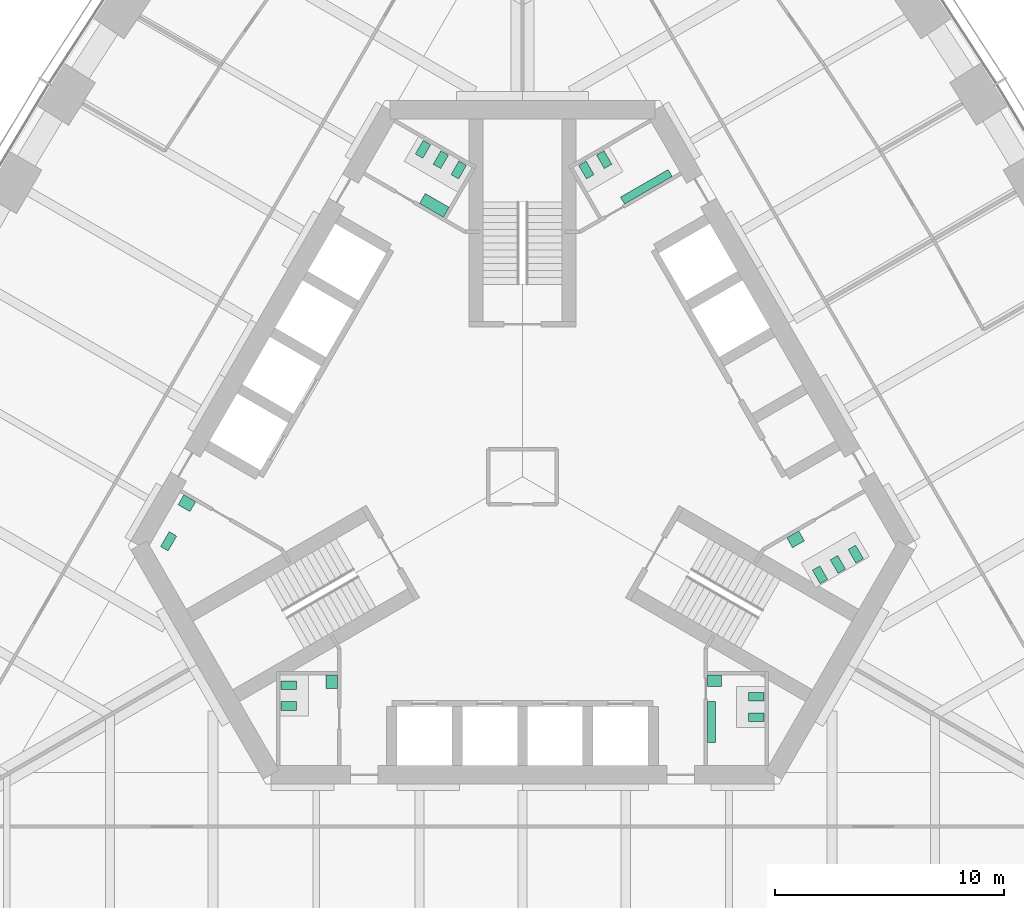
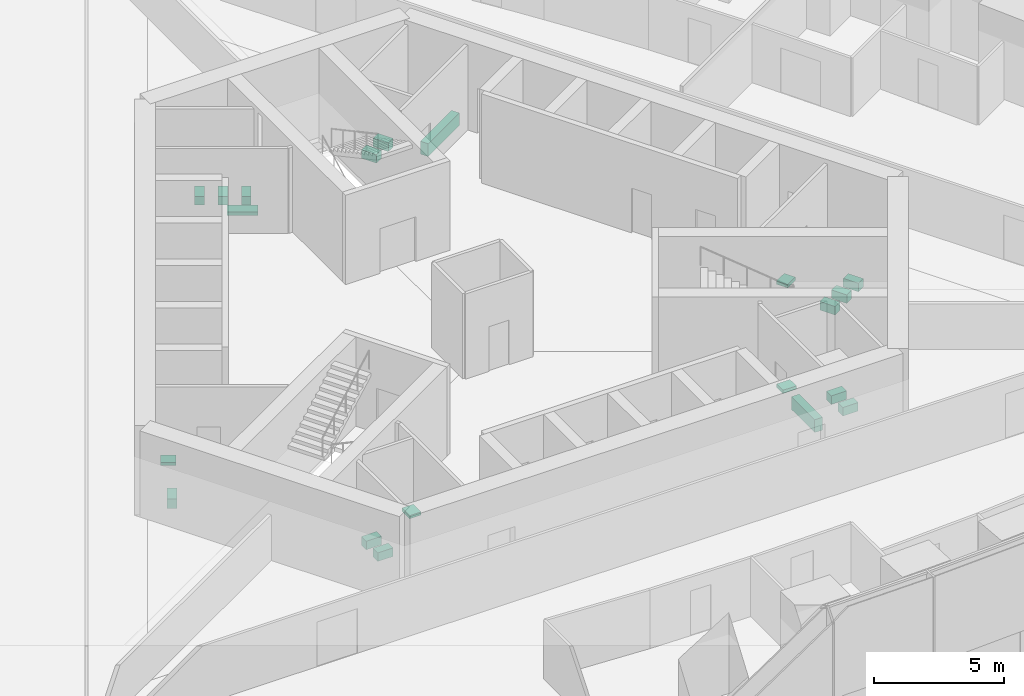
# One storey, part 17 of 18: 20 sanitary terminals.
"""IFC4 building model written with IfcOpenShell, lengths in metres."""

from ifc_helpers import new_model, si_unit, direction, frame, origin, place, context, subcontext, project, spatial, polyline, outline, extrude, material, type_object, element, save


model = new_model("IFC4")

# Units and contexts
model_context = context("Model", 3, precision=1e-05, world=origin(), true_north=direction((0.0, 1.0)))
body_context = subcontext(model_context, "Body", "Model", "MODEL_VIEW")
ifc_project = project(units=[si_unit("LENGTHUNIT", "METRE"), si_unit("AREAUNIT", "SQUARE_METRE"), si_unit("VOLUMEUNIT", "CUBIC_METRE"), si_unit("PLANEANGLEUNIT", "RADIAN"), si_unit("MASSUNIT", "GRAM", prefix="KILO")], contexts=[model_context])

# Site, building, storey
site_placement = place(None, origin())
site = spatial("IfcSite", under=ifc_project, at=site_placement, CompositionType="ELEMENT")
building_placement = place(site_placement, origin())
building = spatial("IfcBuilding", under=site, at=building_placement, Name="Trefoil Bronze Tower", CompositionType="ELEMENT")
storey_placement = place(building_placement, frame((0.0, 0.0, 115.699951171875)))
storey = spatial("IfcBuildingStorey", under=building, at=storey_placement, Name="L26", CompositionType="ELEMENT", Elevation=115.699951171875)

# Sanitary terminals
ifc_material_1 = material(Name="Vitreous china", Category="ceramic")
sanitary_terminal_type_1 = type_object("IfcSanitaryTerminalType", Name="Accessible WC pan", PredefinedType="TOILETPAN", material=ifc_material_1)
sanitary_terminal_1_placement = place(storey_placement, origin())
element("IfcSanitaryTerminal", 1, at=sanitary_terminal_1_placement, inside=storey, type_object=sanitary_terminal_type_1, Name="WC pan 1 Accessible WC L26", PredefinedType="TOILETPAN", context=body_context, shape_type="SweptSolid", body=[
    extrude(outline(polyline([(-15.085693359375, -2.589111328125), (-15.460693359375, -3.238525390625), (-15.789794921875, -3.048583984375), (-15.414794921875, -2.399169921875), (-15.085693359375, -2.589111328125)])), origin(), (0.0, 0.0, 1.0), 0.449951171875),
])
ifc_material_2 = material(Name="Vitreous china", Category="ceramic")
sanitary_terminal_type_2 = type_object("IfcSanitaryTerminalType", Name="Accessible basin", PredefinedType="WASHHANDBASIN", material=ifc_material_2)
sanitary_terminal_2_placement = place(storey_placement, frame((0.0, 0.0, 0.650146484375)))
element("IfcSanitaryTerminal", 2, at=sanitary_terminal_2_placement, inside=storey, type_object=sanitary_terminal_type_2, Name="Wash basin Accessible WC L26", PredefinedType="WASHHANDBASIN", context=body_context, shape_type="SweptSolid", body=[
    extrude(outline(polyline([(-14.256591796875, -1.09326171875), (-14.506591796875, -1.526123046875), (-15.026123046875, -1.22607421875), (-14.776123046875, -0.793212890625), (-14.256591796875, -1.09326171875)])), origin(), (0.0, 0.0, 1.0), 0.14990234375),
])
ifc_material_3 = material(Name="Vitreous china", Category="ceramic")
sanitary_terminal_type_3 = type_object("IfcSanitaryTerminalType", Name="Urinal range 3 urinals", PredefinedType="URINAL", material=ifc_material_3)
sanitary_terminal_3_placement = place(storey_placement, frame((0.0, 0.0, 0.400146484375)))
element("IfcSanitaryTerminal", 3, at=sanitary_terminal_3_placement, inside=storey, type_object=sanitary_terminal_type_3, Name="Urinal range WC (men) L26", PredefinedType="URINAL", context=body_context, shape_type="SweptSolid", body=[
    extrude(outline(polyline([(8.074951171875, -9.800048828125), (8.425048828125, -9.800048828125), (8.425048828125, -11.60009765625), (8.074951171875, -11.60009765625), (8.074951171875, -9.800048828125)])), origin(), (0.0, 0.0, 1.0), 0.599853515625),
])
ifc_material_4 = material(Name="Vitreous china", Category="ceramic")
sanitary_terminal_type_4 = type_object("IfcSanitaryTerminalType", Name="Urinal range 4 urinals", PredefinedType="URINAL", material=ifc_material_4)
sanitary_terminal_4_placement = place(storey_placement, frame((0.0, 0.0, 0.400146484375)))
element("IfcSanitaryTerminal", 4, at=sanitary_terminal_4_placement, inside=storey, type_object=sanitary_terminal_type_4, Name="Urinal range WC (men) L26", PredefinedType="URINAL", context=body_context, shape_type="SweptSolid", body=[
    extrude(outline(polyline([(4.449462890625, 11.89306640625), (4.274658203125, 12.1962890625), (6.35302734375, 13.396240234375), (6.528076171875, 13.09326171875), (4.449462890625, 11.89306640625)])), origin(), (0.0, 0.0, 1.0), 0.599853515625),
])
ifc_material_5 = material(Name="Solid surface vanity", Category="plastic")
sanitary_terminal_type_5 = type_object("IfcSanitaryTerminalType", Name="Vanity unit 1 basins", PredefinedType="WASHHANDBASIN", material=ifc_material_5)
sanitary_terminal_5_placement = place(storey_placement, frame((0.0, 0.0, 0.75)))
element("IfcSanitaryTerminal", 5, at=sanitary_terminal_5_placement, inside=storey, type_object=sanitary_terminal_type_5, Name="Vanity unit WC (men) L26", PredefinedType="WASHHANDBASIN", context=body_context, shape_type="SweptSolid", body=[
    extrude(outline(polyline([(8.074951171875, -8.64990234375), (8.675048828125, -8.64990234375), (8.675048828125, -9.14990234375), (8.074951171875, -9.14990234375), (8.074951171875, -8.64990234375)])), origin(), (0.0, 0.0, 1.0), 0.150146484375),
])
sanitary_terminal_6_placement = place(storey_placement, frame((0.0, 0.0, 0.75)))
element("IfcSanitaryTerminal", 6, at=sanitary_terminal_6_placement, inside=storey, type_object=sanitary_terminal_type_5, Name="Vanity unit WC (women) L26", PredefinedType="WASHHANDBASIN", context=body_context, shape_type="SweptSolid", body=[
    extrude(outline(polyline([(11.528564453125, -2.668212890625), (11.778564453125, -3.10107421875), (12.29833984375, -2.80126953125), (12.04833984375, -2.3681640625), (11.528564453125, -2.668212890625)])), origin(), (0.0, 0.0, 1.0), 0.150146484375),
])
sanitary_terminal_7_placement = place(storey_placement, frame((0.0, 0.0, 0.75)))
element("IfcSanitaryTerminal", 7, at=sanitary_terminal_7_placement, inside=storey, type_object=sanitary_terminal_type_5, Name="Vanity unit WC (women) L26", PredefinedType="WASHHANDBASIN", context=body_context, shape_type="SweptSolid", body=[
    extrude(outline(polyline([(-8.074951171875, -8.64990234375), (-8.574951171875, -8.64990234375), (-8.574951171875, -9.25), (-8.074951171875, -9.25), (-8.074951171875, -8.64990234375)])), origin(), (0.0, 0.0, 1.0), 0.150146484375),
])
ifc_material_6 = material(Name="Solid surface vanity", Category="plastic")
sanitary_terminal_type_6 = type_object("IfcSanitaryTerminalType", Name="Vanity unit 2 basins", PredefinedType="WASHHANDBASIN", material=ifc_material_6)
sanitary_terminal_8_placement = place(storey_placement, frame((0.0, 0.0, 0.75)))
element("IfcSanitaryTerminal", 8, at=sanitary_terminal_8_placement, inside=storey, type_object=sanitary_terminal_type_6, Name="Vanity unit WC (women) L26", PredefinedType="WASHHANDBASIN", context=body_context, shape_type="SweptSolid", body=[
    extrude(outline(polyline([(-3.45361328125, 11.318115234375), (-3.20361328125, 11.751220703125), (-4.242919921875, 12.35107421875), (-4.492919921875, 11.918212890625), (-3.45361328125, 11.318115234375)])), origin(), (0.0, 0.0, 1.0), 0.150146484375),
])
ifc_material_7 = material(Name="Vitreous china", Category="ceramic")
sanitary_terminal_type_7 = type_object("IfcSanitaryTerminalType", Name="WC pan", PredefinedType="TOILETPAN", material=ifc_material_7)
sanitary_terminal_9_placement = place(storey_placement, origin())
element("IfcSanitaryTerminal", 9, at=sanitary_terminal_9_placement, inside=storey, type_object=sanitary_terminal_type_7, Name="WC pan 1 WC (men) L26", PredefinedType="TOILETPAN", context=body_context, shape_type="SweptSolid", body=[
    extrude(outline(polyline([(9.85498046875, -9.409912109375), (10.534912109375, -9.409912109375), (10.534912109375, -9.7900390625), (9.85498046875, -9.7900390625), (9.85498046875, -9.409912109375)])), origin(), (0.0, 0.0, 1.0), 0.400146484375),
])
sanitary_terminal_10_placement = place(storey_placement, origin())
element("IfcSanitaryTerminal", 10, at=sanitary_terminal_10_placement, inside=storey, type_object=sanitary_terminal_type_7, Name="WC pan 2 WC (men) L26", PredefinedType="TOILETPAN", context=body_context, shape_type="SweptSolid", body=[
    extrude(outline(polyline([(9.85498046875, -10.31005859375), (10.534912109375, -10.31005859375), (10.534912109375, -10.68994140625), (9.85498046875, -10.68994140625), (9.85498046875, -10.31005859375)])), origin(), (0.0, 0.0, 1.0), 0.400146484375),
])
sanitary_terminal_11_placement = place(storey_placement, origin())
element("IfcSanitaryTerminal", 11, at=sanitary_terminal_11_placement, inside=storey, type_object=sanitary_terminal_type_7, Name="WC pan 1 WC (women) L26", PredefinedType="TOILETPAN", context=body_context, shape_type="SweptSolid", body=[
    extrude(outline(polyline([(12.643798828125, -4.07958984375), (12.98388671875, -4.66845703125), (13.31298828125, -4.478515625), (12.972900390625, -3.8896484375), (12.643798828125, -4.07958984375)])), origin(), (0.0, 0.0, 1.0), 0.400146484375),
])
sanitary_terminal_12_placement = place(storey_placement, origin())
element("IfcSanitaryTerminal", 12, at=sanitary_terminal_12_placement, inside=storey, type_object=sanitary_terminal_type_7, Name="WC pan 2 WC (women) L26", PredefinedType="TOILETPAN", context=body_context, shape_type="SweptSolid", body=[
    extrude(outline(polyline([(13.423095703125, -3.629638671875), (13.76318359375, -4.218505859375), (14.09228515625, -4.028564453125), (13.752197265625, -3.439697265625), (13.423095703125, -3.629638671875)])), origin(), (0.0, 0.0, 1.0), 0.400146484375),
])
sanitary_terminal_13_placement = place(storey_placement, origin())
element("IfcSanitaryTerminal", 13, at=sanitary_terminal_13_placement, inside=storey, type_object=sanitary_terminal_type_7, Name="WC pan 3 WC (women) L26", PredefinedType="TOILETPAN", context=body_context, shape_type="SweptSolid", body=[
    extrude(outline(polyline([(14.20263671875, -3.1796875), (14.542724609375, -3.7685546875), (14.871826171875, -3.57861328125), (14.53173828125, -2.98974609375), (14.20263671875, -3.1796875)])), origin(), (0.0, 0.0, 1.0), 0.400146484375),
])
sanitary_terminal_14_placement = place(storey_placement, origin())
element("IfcSanitaryTerminal", 14, at=sanitary_terminal_14_placement, inside=storey, type_object=sanitary_terminal_type_7, Name="WC pan 1 WC (men) L26", PredefinedType="TOILETPAN", context=body_context, shape_type="SweptSolid", body=[
    extrude(outline(polyline([(2.788818359375, 12.98974609375), (2.44873046875, 13.57861328125), (2.77783203125, 13.7685546875), (3.117919921875, 13.1796875), (2.788818359375, 12.98974609375)])), origin(), (0.0, 0.0, 1.0), 0.400146484375),
])
sanitary_terminal_15_placement = place(storey_placement, origin())
element("IfcSanitaryTerminal", 15, at=sanitary_terminal_15_placement, inside=storey, type_object=sanitary_terminal_type_7, Name="WC pan 2 WC (men) L26", PredefinedType="TOILETPAN", context=body_context, shape_type="SweptSolid", body=[
    extrude(outline(polyline([(3.568115234375, 13.439697265625), (3.228271484375, 14.028564453125), (3.557373046875, 14.218505859375), (3.897216796875, 13.629638671875), (3.568115234375, 13.439697265625)])), origin(), (0.0, 0.0, 1.0), 0.400146484375),
])
sanitary_terminal_16_placement = place(storey_placement, origin())
element("IfcSanitaryTerminal", 16, at=sanitary_terminal_16_placement, inside=storey, type_object=sanitary_terminal_type_7, Name="WC pan 1 WC (women) L26", PredefinedType="TOILETPAN", context=body_context, shape_type="SweptSolid", body=[
    extrude(outline(polyline([(-2.788818359375, 12.98974609375), (-2.44873046875, 13.57861328125), (-2.77783203125, 13.7685546875), (-3.117919921875, 13.1796875), (-2.788818359375, 12.98974609375)])), origin(), (0.0, 0.0, 1.0), 0.400146484375),
])
sanitary_terminal_17_placement = place(storey_placement, origin())
element("IfcSanitaryTerminal", 17, at=sanitary_terminal_17_placement, inside=storey, type_object=sanitary_terminal_type_7, Name="WC pan 2 WC (women) L26", PredefinedType="TOILETPAN", context=body_context, shape_type="SweptSolid", body=[
    extrude(outline(polyline([(-3.568115234375, 13.439697265625), (-3.228271484375, 14.028564453125), (-3.557373046875, 14.218505859375), (-3.897216796875, 13.629638671875), (-3.568115234375, 13.439697265625)])), origin(), (0.0, 0.0, 1.0), 0.400146484375),
])
sanitary_terminal_18_placement = place(storey_placement, origin())
element("IfcSanitaryTerminal", 18, at=sanitary_terminal_18_placement, inside=storey, type_object=sanitary_terminal_type_7, Name="WC pan 3 WC (women) L26", PredefinedType="TOILETPAN", context=body_context, shape_type="SweptSolid", body=[
    extrude(outline(polyline([(-4.34765625, 13.8896484375), (-4.007568359375, 14.478515625), (-4.336669921875, 14.66845703125), (-4.6767578125, 14.07958984375), (-4.34765625, 13.8896484375)])), origin(), (0.0, 0.0, 1.0), 0.400146484375),
])
sanitary_terminal_19_placement = place(storey_placement, origin())
element("IfcSanitaryTerminal", 19, at=sanitary_terminal_19_placement, inside=storey, type_object=sanitary_terminal_type_7, Name="WC pan 1 WC (women) L26", PredefinedType="TOILETPAN", context=body_context, shape_type="SweptSolid", body=[
    extrude(outline(polyline([(-9.85498046875, -8.909912109375), (-10.534912109375, -8.909912109375), (-10.534912109375, -9.2900390625), (-9.85498046875, -9.2900390625), (-9.85498046875, -8.909912109375)])), origin(), (0.0, 0.0, 1.0), 0.400146484375),
])
sanitary_terminal_20_placement = place(storey_placement, origin())
element("IfcSanitaryTerminal", 20, at=sanitary_terminal_20_placement, inside=storey, type_object=sanitary_terminal_type_7, Name="WC pan 2 WC (women) L26", PredefinedType="TOILETPAN", context=body_context, shape_type="SweptSolid", body=[
    extrude(outline(polyline([(-9.85498046875, -9.81005859375), (-10.534912109375, -9.81005859375), (-10.534912109375, -10.18994140625), (-9.85498046875, -10.18994140625), (-9.85498046875, -9.81005859375)])), origin(), (0.0, 0.0, 1.0), 0.400146484375),
])

save(model, "model.ifc")
